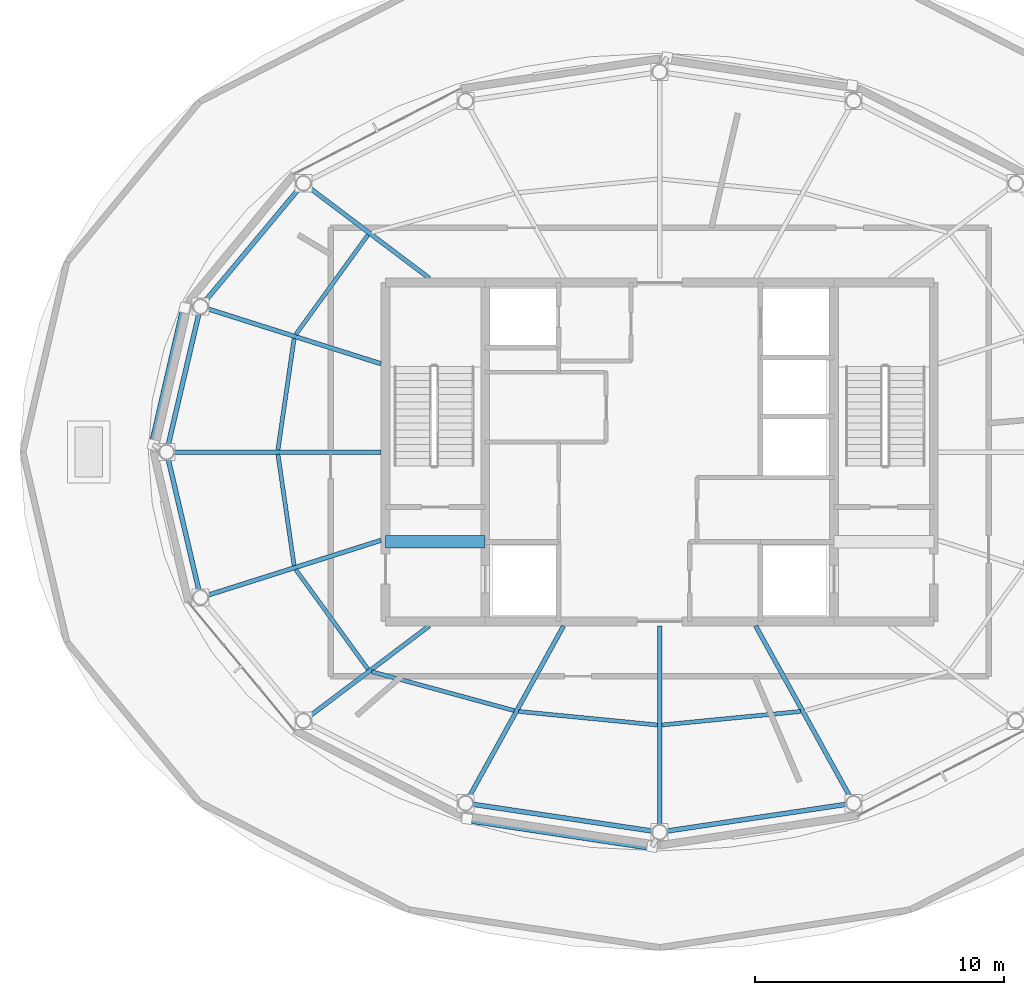
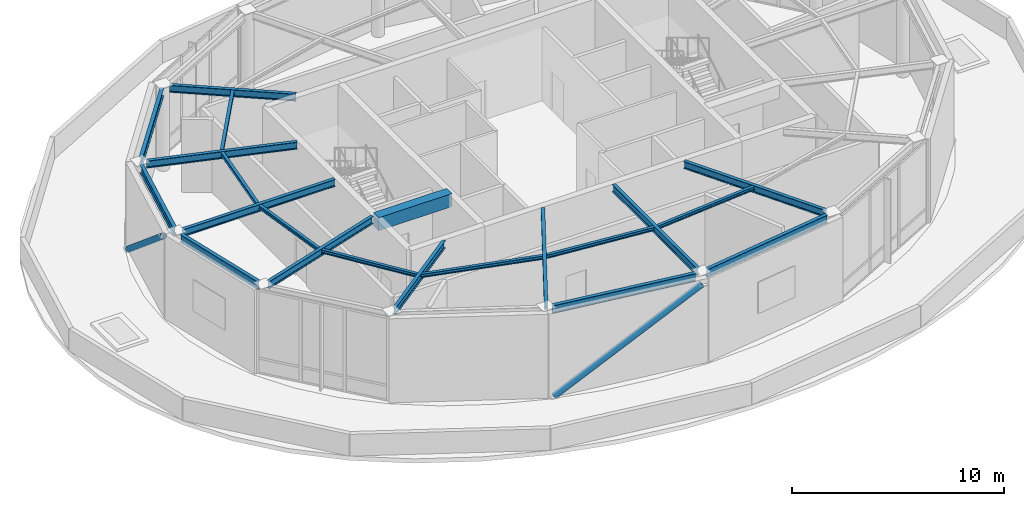
# One storey, part 3 of 15: 21 beams, 2 members.
"""IFC4 building model written with IfcOpenShell, lengths in metres."""

from ifc_helpers import new_model, si_unit, direction, frame, origin, origin_2d, place, context, subcontext, project, spatial, rectangle, hollow_circle, i_section, extrude, material, material_profile, profile_set, type_object, element, save


model = new_model("IFC4")

# Units and contexts
model_context = context("Model", 3, precision=1e-05, world=origin(), true_north=direction((0.0, 1.0)))
body_context = subcontext(model_context, "Body", "Model", "MODEL_VIEW")
ifc_project = project(units=[si_unit("LENGTHUNIT", "METRE"), si_unit("AREAUNIT", "SQUARE_METRE"), si_unit("VOLUMEUNIT", "CUBIC_METRE"), si_unit("PLANEANGLEUNIT", "RADIAN"), si_unit("MASSUNIT", "GRAM", prefix="KILO")], contexts=[model_context])

# Site, building, storey
site_placement = place(None, origin())
site = spatial("IfcSite", under=ifc_project, at=site_placement, CompositionType="ELEMENT")
building_placement = place(site_placement, origin())
building = spatial("IfcBuilding", under=site, at=building_placement, Name="Sarneth Arch Tower", CompositionType="ELEMENT")
storey_placement = place(building_placement, frame((0.0, 0.0, 316.5)))
storey = spatial("IfcBuildingStorey", under=building, at=storey_placement, Name="L82", CompositionType="ELEMENT", Elevation=316.5)

# Beams
ifc_material_1 = material(Name="Steel S355", Category="steel")
ifc_material_profile_1 = material_profile(ifc_material_1, i_section(OverallWidth=0.1650390625, OverallDepth=0.200927734375, WebThickness=0.006103515625, FlangeThickness=0.01025390625, FilletRadius=0.010009765625, at=origin_2d()), Name="W200x35.9")
ifc_profile_set_1 = profile_set([ifc_material_profile_1], Name="Steel S355")
beam_type_1 = type_object("IfcBeamType", Name="BM-JOIST-200", PredefinedType="JOIST", material=ifc_profile_set_1)
beam_1_placement = place(storey_placement, frame((36.30322265625, 50.714599609375, 4.739501953125), z_axis=(-0.587186987897, -0.809451321109, 0.0), x_axis=(0.809451321109, -0.587186987897, 0.0)))
element("IfcBeam", 1, at=beam_1_placement, inside=storey, type_object=beam_type_1, Name="L82 Secondary floor joist 07", PredefinedType="JOIST", context=body_context, shape_type="SweptSolid", body=[
    extrude(i_section(OverallWidth=0.1650390625, OverallDepth=0.200927734375, WebThickness=0.006103515625, FlangeThickness=0.01025390625, FilletRadius=0.010009765625, at=origin_2d()), origin(), (0.0, 0.0, 1.0), 4.940673828125),
])
for number, where, z_axis, x_axis, name in (
    (2, (33.336181640625, 46.55322265625, 4.739501953125), (-0.143747114528, -0.989614453747, 0.0), (0.989614453747, -0.143747114528, 0.0), "L82 Secondary floor joist 08"),
    (3, (32.687744140625, 41.910888671875, 4.739501953125), (0.143747114528, -0.989614453747, 0.0), (0.989614453747, 0.143747114528, 0.0), "L82 Secondary floor joist 09"),
):
    element("IfcBeam", number, at=place(storey_placement, frame(where, z_axis=z_axis, x_axis=x_axis)), inside=storey, type_object=beam_type_1, Name=name, PredefinedType="JOIST", context=body_context, shape_type="SweptSolid", body=[
        extrude(i_section(OverallWidth=0.1650390625, OverallDepth=0.200927734375, WebThickness=0.006103515625, FlangeThickness=0.01025390625, FilletRadius=0.010009765625, at=origin_2d()), origin(), (0.0, 0.0, 1.0), 4.510986328125),
    ])
beam_2_placement = place(storey_placement, frame((33.402099609375, 37.28466796875, 4.739501953125), z_axis=(0.587186987897, -0.809451321109, 0.0), x_axis=(0.809451321109, 0.587186987897, 0.0)))
element("IfcBeam", 4, at=beam_2_placement, inside=storey, type_object=beam_type_1, Name="L82 Secondary floor joist 10", PredefinedType="JOIST", context=body_context, shape_type="SweptSolid", body=[
    extrude(i_section(OverallWidth=0.1650390625, OverallDepth=0.200927734375, WebThickness=0.006103515625, FlangeThickness=0.01025390625, FilletRadius=0.010009765625, at=origin_2d()), origin(), (0.0, 0.0, 1.0), 4.940673828125),
])
beam_3_placement = place(storey_placement, frame((36.44287109375, 33.18896484375, 4.739501953125), z_axis=(0.964665041137, -0.263479332034, 0.0), x_axis=(0.263479332034, 0.964665041137, 0.0)))
element("IfcBeam", 5, at=beam_3_placement, inside=storey, type_object=beam_type_1, Name="L82 Secondary floor joist 11", PredefinedType="JOIST", context=body_context, shape_type="SweptSolid", body=[
    extrude(i_section(OverallWidth=0.1650390625, OverallDepth=0.200927734375, WebThickness=0.006103515625, FlangeThickness=0.01025390625, FilletRadius=0.010009765625, at=origin_2d()), origin(), (0.0, 0.0, 1.0), 5.935791015625),
])
for number, where, z_axis, x_axis, name in (
    (6, (42.34521484375, 31.592529296875, 4.739501953125), (0.995261554791, -0.097233932113, 0.0), (0.097233932113, 0.995261554791, 0.0), "L82 Secondary floor joist 12"),
    (7, (48.089599609375, 31.048828125, 4.739501953125), (0.995261554791, 0.097233932113, 0.0), (-0.097233932113, 0.995261554791, 0.0), "L82 Secondary floor joist 13"),
):
    element("IfcBeam", number, at=place(storey_placement, frame(where, z_axis=z_axis, x_axis=x_axis)), inside=storey, type_object=beam_type_1, Name=name, PredefinedType="JOIST", context=body_context, shape_type="SweptSolid", body=[
        extrude(i_section(OverallWidth=0.1650390625, OverallDepth=0.200927734375, WebThickness=0.006103515625, FlangeThickness=0.01025390625, FilletRadius=0.010009765625, at=origin_2d()), origin(), (0.0, 0.0, 1.0), 5.591796875),
    ])
ifc_material_2 = material(Name="Concrete C50/60", Category="concrete")
ifc_material_profile_2 = material_profile(ifc_material_2, rectangle(XDim=0.5, YDim=0.75, at=origin_2d()), Name="RC-500x750")
ifc_profile_set_2 = profile_set([ifc_material_profile_2], Name="Concrete C50/60")
beam_type_2 = type_object("IfcBeamType", Name="BM-LINTEL-RC", PredefinedType="LINTEL", material=ifc_profile_set_2)
beam_4_placement = place(storey_placement, frame((37.0, 38.39990234375, 4.465087890625), z_axis=(1.0, 0.0, 0.0), x_axis=(0.0, 1.0, 0.0)))
element("IfcBeam", 8, at=beam_4_placement, inside=storey, type_object=beam_type_2, Name="L82 Core coupling lintel W", PredefinedType="LINTEL", context=body_context, shape_type="SweptSolid", body=[
    extrude(rectangle(XDim=0.5, YDim=0.75, at=origin_2d()), origin(), (0.0, 0.0, 1.0), 4.0),
])
ifc_material_3 = material(Name="Steel S355", Category="steel")
ifc_material_profile_3 = material_profile(ifc_material_3, i_section(OverallWidth=0.179931640625, OverallDepth=0.4130859375, WebThickness=0.009765625, FlangeThickness=0.01611328125, FilletRadius=0.01611328125, at=origin_2d()), Name="W410x75")
ifc_profile_set_3 = profile_set([ifc_material_profile_3], Name="Steel S355")
beam_type_3 = type_object("IfcBeamType", Name="BM-RAD-410B", PredefinedType="BEAM", material=ifc_profile_set_3)
beam_5_placement = place(storey_placement, frame((38.757568359375, 48.97509765625, 4.633544921875), z_axis=(-0.798219333929, 0.602366910563, 0.0), x_axis=(-0.602366910563, -0.798219333929, 0.0)))
element("IfcBeam", 9, at=beam_5_placement, inside=storey, type_object=beam_type_3, Name="L82 Radial floor girder 07", PredefinedType="BEAM", context=body_context, shape_type="SweptSolid", body=[
    extrude(i_section(OverallWidth=0.179931640625, OverallDepth=0.4130859375, WebThickness=0.009765625, FlangeThickness=0.01611328125, FilletRadius=0.01611328125, at=origin_2d()), origin(), (0.0, 0.0, 1.0), 6.01708984375),
])
beam_6_placement = place(storey_placement, frame((36.824951171875, 45.541015625, 4.633544921875), z_axis=(-0.953282145376, 0.302081365376, 0.0), x_axis=(-0.302081365376, -0.953282145376, 0.0)))
element("IfcBeam", 10, at=beam_6_placement, inside=storey, type_object=beam_type_3, Name="L82 Radial floor girder 08", PredefinedType="BEAM", context=body_context, shape_type="SweptSolid", body=[
    extrude(i_section(OverallWidth=0.179931640625, OverallDepth=0.4130859375, WebThickness=0.009765625, FlangeThickness=0.01611328125, FilletRadius=0.01611328125, at=origin_2d()), origin(), (0.0, 0.0, 1.0), 7.292236328125),
])
beam_7_placement = place(storey_placement, frame((36.824951171875, 42.0, 4.633544921875), z_axis=(-1.0, 0.0, 0.0), x_axis=(0.0, -1.0, 0.0)))
element("IfcBeam", 11, at=beam_7_placement, inside=storey, type_object=beam_type_3, Name="L82 Radial floor girder 09", PredefinedType="BEAM", context=body_context, shape_type="SweptSolid", body=[
    extrude(i_section(OverallWidth=0.179931640625, OverallDepth=0.4130859375, WebThickness=0.009765625, FlangeThickness=0.01611328125, FilletRadius=0.01611328125, at=origin_2d()), origin(), (0.0, 0.0, 1.0), 8.300048828125),
])
beam_8_placement = place(storey_placement, frame((36.824951171875, 38.458984375, 4.633544921875), z_axis=(-0.953282145376, -0.302081365376, 0.0), x_axis=(0.302081365376, -0.953282145376, 0.0)))
element("IfcBeam", 12, at=beam_8_placement, inside=storey, type_object=beam_type_3, Name="L82 Radial floor girder 10", PredefinedType="BEAM", context=body_context, shape_type="SweptSolid", body=[
    extrude(i_section(OverallWidth=0.179931640625, OverallDepth=0.4130859375, WebThickness=0.009765625, FlangeThickness=0.01611328125, FilletRadius=0.01611328125, at=origin_2d()), origin(), (0.0, 0.0, 1.0), 7.292236328125),
])
beam_9_placement = place(storey_placement, frame((38.757568359375, 35.02490234375, 4.633544921875), z_axis=(-0.798219333929, -0.602366910563, 0.0), x_axis=(0.602366910563, -0.798219333929, 0.0)))
element("IfcBeam", 13, at=beam_9_placement, inside=storey, type_object=beam_type_3, Name="L82 Radial floor girder 11", PredefinedType="BEAM", context=body_context, shape_type="SweptSolid", body=[
    extrude(i_section(OverallWidth=0.179931640625, OverallDepth=0.4130859375, WebThickness=0.009765625, FlangeThickness=0.01611328125, FilletRadius=0.01611328125, at=origin_2d()), origin(), (0.0, 0.0, 1.0), 6.01708984375),
])
beam_10_placement = place(storey_placement, frame((44.14697265625, 35.02490234375, 4.633544921875), z_axis=(-0.483540137105, -0.875322189715, 0.0), x_axis=(0.875322189715, -0.483540137105, 0.0)))
element("IfcBeam", 14, at=beam_10_placement, inside=storey, type_object=beam_type_3, Name="L82 Radial floor girder 12", PredefinedType="BEAM", context=body_context, shape_type="SweptSolid", body=[
    extrude(i_section(OverallWidth=0.179931640625, OverallDepth=0.4130859375, WebThickness=0.009765625, FlangeThickness=0.01611328125, FilletRadius=0.01611328125, at=origin_2d()), origin(), (0.0, 0.0, 1.0), 7.822509765625),
])
beam_11_placement = place(storey_placement, frame((48.0, 35.02490234375, 4.633544921875), z_axis=(0.0, -1.0, 0.0), x_axis=(1.0, 0.0, 0.0)))
element("IfcBeam", 15, at=beam_11_placement, inside=storey, type_object=beam_type_3, Name="L82 Radial floor girder 13", PredefinedType="BEAM", context=body_context, shape_type="SweptSolid", body=[
    extrude(i_section(OverallWidth=0.179931640625, OverallDepth=0.4130859375, WebThickness=0.009765625, FlangeThickness=0.01611328125, FilletRadius=0.01611328125, at=origin_2d()), origin(), (0.0, 0.0, 1.0), 7.969970703125),
])
beam_12_placement = place(storey_placement, frame((51.85302734375, 35.02490234375, 4.633544921875), z_axis=(0.483540137105, -0.875322189715, 0.0), x_axis=(0.875322189715, 0.483540137105, 0.0)))
element("IfcBeam", 16, at=beam_12_placement, inside=storey, type_object=beam_type_3, Name="L82 Radial floor girder 14", PredefinedType="BEAM", context=body_context, shape_type="SweptSolid", body=[
    extrude(i_section(OverallWidth=0.179931640625, OverallDepth=0.4130859375, WebThickness=0.009765625, FlangeThickness=0.01611328125, FilletRadius=0.01611328125, at=origin_2d()), origin(), (0.0, 0.0, 1.0), 7.822509765625),
])
ifc_material_4 = material(Name="Steel S355", Category="steel")
ifc_material_profile_4 = material_profile(ifc_material_4, i_section(OverallWidth=0.19189453125, OverallDepth=0.462890625, WebThickness=0.010498046875, FlangeThickness=0.017578125, FilletRadius=0.01806640625, at=origin_2d()), Name="W460x89")
ifc_profile_set_4 = profile_set([ifc_material_profile_4], Name="Steel S355")
beam_type_4 = type_object("IfcBeamType", Name="BM-RAD-460B", PredefinedType="BEAM", material=ifc_profile_set_4)
beam_13_placement = place(storey_placement, frame((33.515625, 52.54931640625, 4.6083984375), z_axis=(-0.64067411458, -0.767812919211, 0.0), x_axis=(0.767812919211, -0.64067411458, 0.0)))
element("IfcBeam", 17, at=beam_13_placement, inside=storey, type_object=beam_type_4, Name="L82 Perimeter spandrel beam 07", PredefinedType="BEAM", context=body_context, shape_type="SweptSolid", body=[
    extrude(i_section(OverallWidth=0.19189453125, OverallDepth=0.462890625, WebThickness=0.010498046875, FlangeThickness=0.017578125, FilletRadius=0.01806640625, at=origin_2d()), origin(), (0.0, 0.0, 1.0), 5.833740234375),
])
for number, where, z_axis, x_axis, name in (
    (18, (29.51318359375, 47.538818359375, 4.6083984375), (-0.227416006803, -0.973797699653, 0.0), (0.973797699653, -0.227416006803, 0.0), "L82 Perimeter spandrel beam 08"),
    (19, (28.2890625, 41.702880859375, 4.6083984375), (0.227416006803, -0.973797699653, 0.0), (0.973797699653, 0.227416006803, 0.0), "L82 Perimeter spandrel beam 09"),
):
    element("IfcBeam", number, at=place(storey_placement, frame(where, z_axis=z_axis, x_axis=x_axis)), inside=storey, type_object=beam_type_4, Name=name, PredefinedType="BEAM", context=body_context, shape_type="SweptSolid", body=[
        extrude(i_section(OverallWidth=0.19189453125, OverallDepth=0.462890625, WebThickness=0.010498046875, FlangeThickness=0.017578125, FilletRadius=0.01806640625, at=origin_2d()), origin(), (0.0, 0.0, 1.0), 5.3828125),
    ])
for number, where, z_axis, x_axis, name in (
    (20, (40.518798828125, 27.865966796875, 4.6083984375), (0.989054698722, -0.147549323742, 0.0), (0.147549323742, 0.989054698722, 0.0), "L82 Perimeter spandrel beam 12"),
    (21, (48.3017578125, 26.794921875, 4.6083984375), (0.989054698722, 0.147549323742, 0.0), (-0.147549323742, 0.989054698722, 0.0), "L82 Perimeter spandrel beam 13"),
):
    element("IfcBeam", number, at=place(storey_placement, frame(where, z_axis=z_axis, x_axis=x_axis)), inside=storey, type_object=beam_type_4, Name=name, PredefinedType="BEAM", context=body_context, shape_type="SweptSolid", body=[
        extrude(i_section(OverallWidth=0.19189453125, OverallDepth=0.462890625, WebThickness=0.010498046875, FlangeThickness=0.017578125, FilletRadius=0.01806640625, at=origin_2d()), origin(), (0.0, 0.0, 1.0), 7.2587890625),
    ])

# Members
ifc_material_5 = material(Name="Steel S355", Category="steel")
ifc_material_profile_5 = material_profile(ifc_material_5, hollow_circle(Radius=0.162109375, WallThickness=0.012451171875, at=origin_2d()), Name="CHS324x12.5")
ifc_profile_set_5 = profile_set([ifc_material_profile_5], Name="Steel S355")
member_type = type_object("IfcMemberType", Name="MEM-DIAG-BR3", PredefinedType="BRACE", material=ifc_profile_set_5)
member_1_placement = place(storey_placement, frame((28.94482421875, 47.78466796875, 0.02001953125), z_axis=(-0.175394307197, -0.758670588156, 0.627419935665), x_axis=(0.97430207007, -0.225245369002, 0.0)))
element("IfcMember", 22, at=member_1_placement, inside=storey, type_object=member_type, Name="L82 Perimeter frame diagonal 08", PredefinedType="BRACE", context=body_context, shape_type="SweptSolid", body=[
    extrude(hollow_circle(Radius=0.162109375, WallThickness=0.012451171875, at=origin_2d()), origin(), (0.0, 0.0, 1.0), 7.239501953125),
])
member_2_placement = place(storey_placement, frame((40.272705078125, 27.2841796875, 0.02001953125), z_axis=(0.846255061179, -0.127483225638, 0.517301071535), x_axis=(0.148963200292, 0.988842740257, 0.0)))
element("IfcMember", 23, at=member_2_placement, inside=storey, type_object=member_type, Name="L82 Perimeter frame diagonal 12", PredefinedType="BRACE", context=body_context, shape_type="SweptSolid", body=[
    extrude(hollow_circle(Radius=0.162109375, WallThickness=0.012451171875, at=origin_2d()), origin(), (0.0, 0.0, 1.0), 8.78076171875),
])

save(model, "model.ifc")
